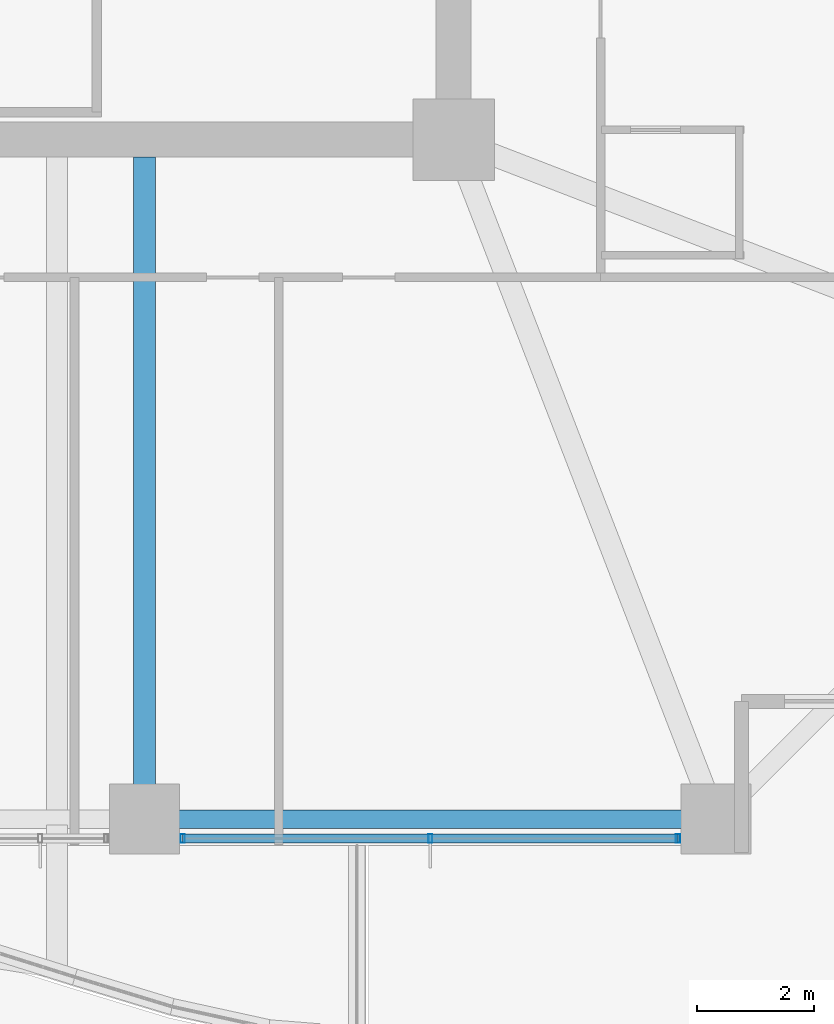
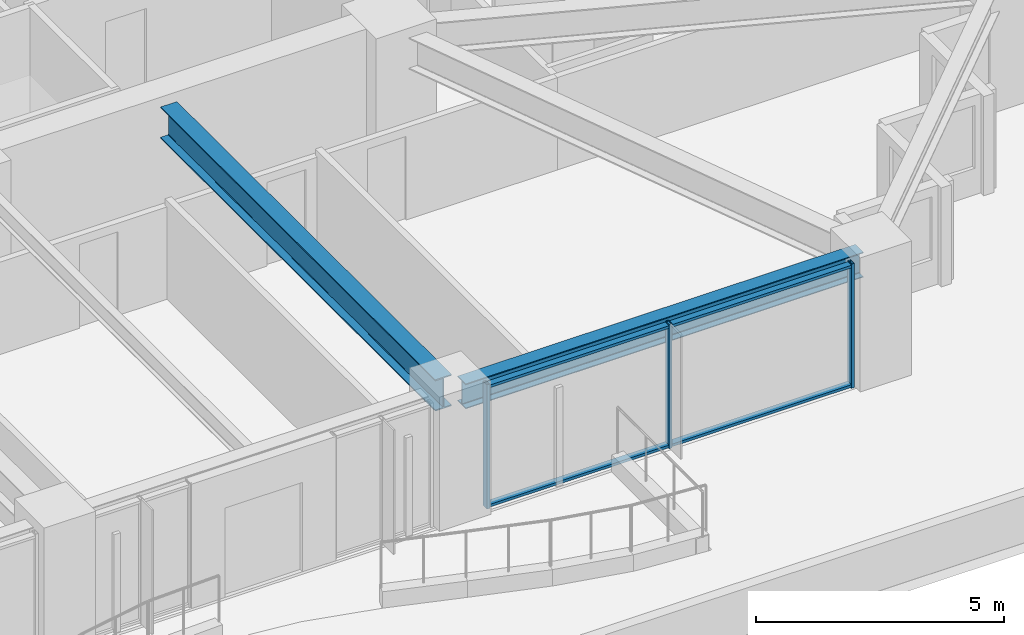
# One storey, part 10 of 36: 5 members, 2 beams, 1 element without a shape of its own.
"""IFC4 building model written with IfcOpenShell, lengths in metres."""

from ifc_helpers import new_model, si_unit, direction, frame, origin, origin_2d, place, context, subcontext, project, spatial, hollow_rectangle, i_section, extrude, material, material_profile, profile_set, type_object, element, aggregate, save


model = new_model("IFC4")

# Units and contexts
model_context = context("Model", 3, precision=1e-05, world=origin(), true_north=direction((0.0, 1.0)))
body_context = subcontext(model_context, "Body", "Model", "MODEL_VIEW")
ifc_project = project(units=[si_unit("LENGTHUNIT", "METRE"), si_unit("AREAUNIT", "SQUARE_METRE"), si_unit("VOLUMEUNIT", "CUBIC_METRE"), si_unit("PLANEANGLEUNIT", "RADIAN"), si_unit("MASSUNIT", "GRAM", prefix="KILO")], contexts=[model_context])

# Site, building, storey
site_placement = place(None, origin())
site = spatial("IfcSite", under=ifc_project, at=site_placement, CompositionType="ELEMENT")
building_placement = place(site_placement, origin())
building = spatial("IfcBuilding", under=site, at=building_placement, Name="Kolvaren Belvedere", CompositionType="ELEMENT")
storey_placement = place(building_placement, frame((0.0, 0.0, 23.800048828125)))
storey = spatial("IfcBuildingStorey", under=building, at=storey_placement, Name="L06", CompositionType="ELEMENT", Elevation=23.800048828125)

# Beams
ifc_material_1 = material(Name="Structural steel ASTM A992 Grade 50", Category="steel")
ifc_material_profile_1 = material_profile(ifc_material_1, i_section(OverallWidth=0.381103515625, OverallDepth=0.77294921875, WebThickness=0.0166015625, FlangeThickness=0.027099609375, FilletRadius=0.02392578125, at=origin_2d()), Name="W30X173")
ifc_profile_set_1 = profile_set([ifc_material_profile_1], Name="Structural steel ASTM A992 Grade 50")
beam_type_1 = type_object("IfcBeamType", Name="BM-GIRD-W30X173", PredefinedType="BEAM", material=ifc_profile_set_1)
beam_1_placement = place(storey_placement, frame((4.60009765625, -10.199951171875, 2.67333984375), z_axis=(0.0, -1.0, 0.0), x_axis=(1.0, 0.0, 0.0)))
element("IfcBeam", 1, at=beam_1_placement, inside=storey, type_object=beam_type_1, Name="L06 South Radial Girder P", PredefinedType="BEAM", context=body_context, shape_type="SweptSolid", body=[
    extrude(i_section(OverallWidth=0.381103515625, OverallDepth=0.77294921875, WebThickness=0.0166015625, FlangeThickness=0.027099609375, FilletRadius=0.02392578125, at=origin_2d()), origin(), (0.0, 0.0, 1.0), 11.080078125),
])
ifc_material_2 = material(Name="Structural steel ASTM A992 Grade 50", Category="steel")
ifc_material_profile_2 = material_profile(ifc_material_2, i_section(OverallWidth=0.324951171875, OverallDepth=0.615966796875, WebThickness=0.013916015625, FlangeThickness=0.021484375, FilletRadius=0.02001953125, at=origin_2d()), Name="W24X117")
ifc_profile_set_2 = profile_set([ifc_material_profile_2], Name="Structural steel ASTM A992 Grade 50")
beam_type_2 = type_object("IfcBeamType", Name="BM-SPAN-W24X117", PredefinedType="SPANDREL", material=ifc_profile_set_2)
beam_2_placement = place(storey_placement, frame((4.8701171875, -21.550048828125, 2.751953125), z_axis=(1.0, 0.0, 0.0), x_axis=(0.0, 1.0, 0.0)))
element("IfcBeam", 2, at=beam_2_placement, inside=storey, type_object=beam_type_2, Name="L06 Perimeter Spandrel S3-S4", PredefinedType="SPANDREL", context=body_context, shape_type="SweptSolid", body=[
    extrude(i_section(OverallWidth=0.324951171875, OverallDepth=0.615966796875, WebThickness=0.013916015625, FlangeThickness=0.021484375, FilletRadius=0.02001953125, at=origin_2d()), origin(), (0.0, 0.0, 1.0), 9.259765625),
])

# Curtain wall, members
ifc_material_3 = material(Name="Anodised pale-metal aluminium AA 6063-T6", Category="aluminium")
curtain_wall_type = type_object("IfcCurtainWallType", Name="CW-Z1-LOW", PredefinedType="NOTDEFINED", material=ifc_material_3)
curtain_wall_placement = place(storey_placement, origin())
curtain_wall = element("IfcCurtainWall", 3, at=curtain_wall_placement, inside=storey, type_object=curtain_wall_type, Name="L06 Unitised Curtain Wall FCW-L06-S1-B1", PredefinedType="NOTDEFINED")
ifc_material_4 = material(Name="Anodised pale-metal aluminium AA 6063-T6", Category="aluminium")
ifc_material_profile_3 = material_profile(ifc_material_4, hollow_rectangle(XDim=0.070068359375, YDim=0.14990234375, WallThickness=0.004150390625, at=origin_2d()), Name="ALU-MUL-150X70")
ifc_profile_set_3 = profile_set([ifc_material_profile_3], Name="Anodised pale-metal aluminium AA 6063-T6")
member_type_1 = type_object("IfcMemberType", Name="CW-MUL-150", PredefinedType="MULLION", material=ifc_profile_set_3)
member_1_placement = place(storey_placement, frame((13.7451171875, -21.8798828125, 0.0), z_axis=(0.0, 0.0, 1.0), x_axis=(1.0, 0.0, 0.0)))
member_1 = element("IfcMember", 4, at=member_1_placement, type_object=member_type_1, Name="FCW-L06-S1-B1 Unitised Mullion 1", PredefinedType="MULLION", context=body_context, shape_type="SweptSolid", body=[
    extrude(hollow_rectangle(XDim=0.070068359375, YDim=0.14990234375, WallThickness=0.004150390625, at=origin_2d()), origin(), (0.0, 0.0, 1.0), 3.06005859375),
])
member_2_placement = place(storey_placement, frame((9.5, -21.8798828125, 0.0), z_axis=(0.0, 0.0, 1.0), x_axis=(1.0, 0.0, 0.0)))
member_2 = element("IfcMember", 5, at=member_2_placement, type_object=member_type_1, Name="FCW-L06-S1-B1 Unitised Mullion 2", PredefinedType="MULLION", context=body_context, shape_type="SweptSolid", body=[
    extrude(hollow_rectangle(XDim=0.070068359375, YDim=0.14990234375, WallThickness=0.004150390625, at=origin_2d()), origin(), (0.0, 0.0, 1.0), 3.06005859375),
])
member_3_placement = place(storey_placement, frame((5.2548828125, -21.8798828125, 0.0), z_axis=(0.0, 0.0, 1.0), x_axis=(1.0, 0.0, 0.0)))
member_3 = element("IfcMember", 6, at=member_3_placement, type_object=member_type_1, Name="FCW-L06-S1-B1 Unitised Mullion 3", PredefinedType="MULLION", context=body_context, shape_type="SweptSolid", body=[
    extrude(hollow_rectangle(XDim=0.070068359375, YDim=0.14990234375, WallThickness=0.004150390625, at=origin_2d()), origin(), (0.0, 0.0, 1.0), 3.06005859375),
])
ifc_material_5 = material(Name="Anodised pale-metal aluminium AA 6063-T6", Category="aluminium")
ifc_material_profile_4 = material_profile(ifc_material_5, hollow_rectangle(XDim=0.06494140625, YDim=0.14990234375, WallThickness=0.00390625, at=origin_2d()), Name="ALU-TRN-150X65")
ifc_profile_set_4 = profile_set([ifc_material_profile_4], Name="Anodised pale-metal aluminium AA 6063-T6")
member_type_2 = type_object("IfcMemberType", Name="CW-TRN-150", PredefinedType="USERDEFINED", material=ifc_profile_set_4)
member_4_placement = place(storey_placement, frame((13.7451171875, -21.8798828125, 0.06005859375), z_axis=(-1.0, 0.0, 0.0), x_axis=(0.0, 0.0, 1.0)))
member_4 = element("IfcMember", 7, at=member_4_placement, type_object=member_type_2, Name="FCW-L06-S1-B1 Sill Transom", ObjectType="TRANSOM", PredefinedType="USERDEFINED", context=body_context, shape_type="SweptSolid", body=[
    extrude(hollow_rectangle(XDim=0.06494140625, YDim=0.14990234375, WallThickness=0.00390625, at=origin_2d()), origin(), (0.0, 0.0, 1.0), 8.490234375),
])
member_5_placement = place(storey_placement, frame((13.7451171875, -21.8798828125, 3.0), z_axis=(-1.0, 0.0, 0.0), x_axis=(0.0, 0.0, 1.0)))
member_5 = element("IfcMember", 8, at=member_5_placement, type_object=member_type_2, Name="FCW-L06-S1-B1 Head Transom", ObjectType="TRANSOM", PredefinedType="USERDEFINED", context=body_context, shape_type="SweptSolid", body=[
    extrude(hollow_rectangle(XDim=0.06494140625, YDim=0.14990234375, WallThickness=0.00390625, at=origin_2d()), origin(), (0.0, 0.0, 1.0), 8.490234375),
])
aggregate(curtain_wall, [member_1, member_2, member_3, member_4, member_5])

save(model, "model.ifc")
